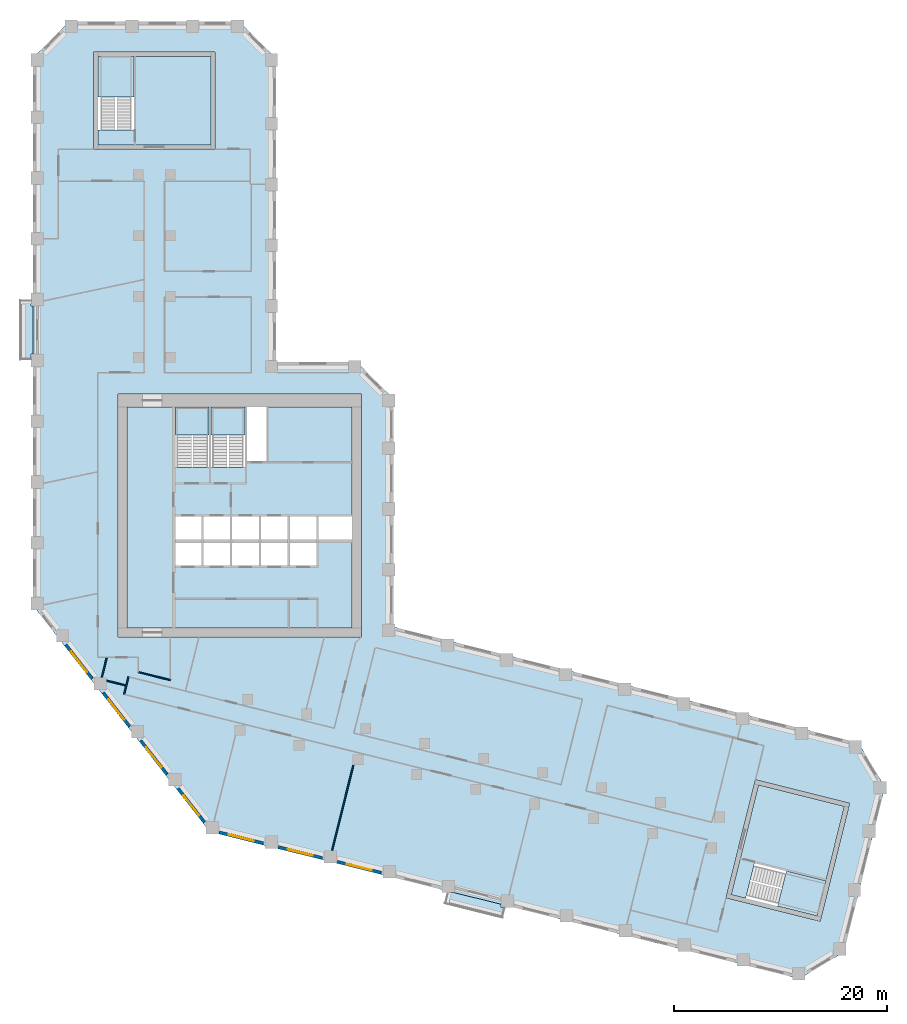
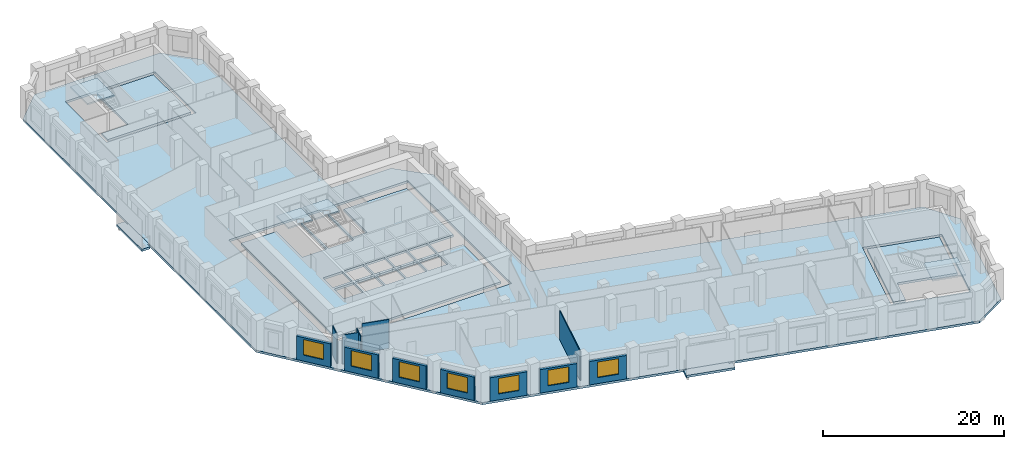
# One storey, part 2 of 10: 12 walls, 10 slabs, 7 windows, 7 openings, 4 elements without a shape of their own.
"""IFC4 building model written with IfcOpenShell, lengths in metres."""

from ifc_helpers import new_model, si_unit, direction, frame, frame_2d, origin, place, context, subcontext, project, spatial, polyline, rectangle, outline, extrude, material, layer, layer_set, type_object, element, fill, aggregate, save


model = new_model("IFC4")

# Units and contexts
model_context = context("Model", 3, precision=1e-05, world=origin(), true_north=direction((0.0, 1.0)))
body_context = subcontext(model_context, "Body", "Model", "MODEL_VIEW")
ifc_project = project(units=[si_unit("LENGTHUNIT", "METRE"), si_unit("AREAUNIT", "SQUARE_METRE"), si_unit("VOLUMEUNIT", "CUBIC_METRE"), si_unit("PLANEANGLEUNIT", "RADIAN"), si_unit("MASSUNIT", "GRAM", prefix="KILO")], contexts=[model_context])

# Site, building, storey
site_placement = place(None, origin())
site = spatial("IfcSite", under=ifc_project, at=site_placement, CompositionType="ELEMENT")
building_placement = place(site_placement, origin())
building = spatial("IfcBuilding", under=site, at=building_placement, Name="Meshkara Civic Tower", CompositionType="ELEMENT")
storey_placement = place(building_placement, frame((0.0, 0.0, 182.39990234375)))
storey = spatial("IfcBuildingStorey", under=building, at=storey_placement, Name="L41", CompositionType="ELEMENT", Elevation=182.39990234375)

# Slabs
ifc_material_1 = material(Name="Concrete C40", Category="concrete")
ifc_layer_1 = layer(ifc_material_1, 0.300048828125)
ifc_layer_set_1 = layer_set([ifc_layer_1], Name="BALCONY SLAB")
slab_type_1 = type_object("IfcSlabType", Name="BALCONY SLAB", PredefinedType="FLOOR", material=ifc_layer_set_1)
slab_1_placement = place(storey_placement, frame((0.0, 0.0, -0.2998046875)))
element("IfcSlab", 1, at=slab_1_placement, inside=storey, type_object=slab_type_1, Name="Balcony slab", PredefinedType="FLOOR", context=body_context, shape_type="SweptSolid", body=[
    extrude(outline(polyline([(-1.199951171875, 40.114990234375), (-1.199951171875, 45.695068359375), (-0.14990234375, 45.695068359375), (-0.14990234375, 45.155029296875), (0.0, 45.155029296875), (0.0, 40.655029296875), (-0.14990234375, 40.655029296875), (-0.14990234375, 40.114990234375), (-1.199951171875, 40.114990234375)])), origin(), (0.0, 0.0, 1.0), 0.2998046875),
])
slab_2_placement = place(storey_placement, frame((0.0, 0.0, -0.2998046875)))
element("IfcSlab", 2, at=slab_2_placement, inside=storey, type_object=slab_type_1, Name="Balcony slab", PredefinedType="FLOOR", context=body_context, shape_type="SweptSolid", body=[
    extrude(outline(polyline([(44.048095703125, -12.218994140625), (38.633056640625, -10.868896484375), (38.885986328125, -9.85302734375), (39.51904296875, -9.85302734375), (43.905029296875, -10.947021484375), (43.905029296875, -11.23193359375), (44.2939453125, -11.23193359375), (44.048095703125, -12.218994140625)])), origin(), (0.0, 0.0, 1.0), 0.2998046875),
])
ifc_material_2 = material(Name="Concrete C40/50", Category="concrete")
ifc_layer_2 = layer(ifc_material_2, 0.300048828125)
ifc_layer_set_2 = layer_set([ifc_layer_2], Name="Core floor slab 300 C40/50")
slab_type_2 = type_object("IfcSlabType", Name="Core floor slab 300 C40/50", PredefinedType="FLOOR", material=ifc_layer_set_2)
slab_3_placement = place(storey_placement, frame((0.0, 0.0, -0.2998046875)))
element("IfcSlab", 3, at=slab_3_placement, inside=storey, type_object=slab_type_2, Name="Core floor K", PredefinedType="FLOOR", context=body_context, shape_type="SweptSolid", body=[
    extrude(outline(polyline([(8.85009765625, 35.699951171875), (13.3701171875, 35.699951171875), (13.3701171875, 30.00146484375), (16.5, 30.00146484375), (16.5, 35.699951171875), (16.699951171875, 35.699951171875), (16.699951171875, 30.00146484375), (19.89990234375, 30.00146484375), (19.89990234375, 35.699951171875), (20.10009765625, 35.699951171875), (20.10009765625, 30.574951171875), (21.925048828125, 30.574951171875), (21.925048828125, 35.699951171875), (29.949951171875, 35.699951171875), (29.949951171875, 25.39990234375), (26.800048828125, 25.39990234375), (26.800048828125, 23.27001953125), (29.949951171875, 23.27001953125), (29.949951171875, 14.949951171875), (8.85009765625, 14.949951171875), (8.85009765625, 35.699951171875)]), holes=[polyline([(15.800048828125, 22.929931640625), (13.3701171875, 22.929931640625), (13.3701171875, 20.800048828125), (15.800048828125, 20.800048828125), (15.800048828125, 22.929931640625)]), polyline([(16.0, 22.929931640625), (16.0, 20.800048828125), (18.5, 20.800048828125), (18.5, 22.929931640625), (16.0, 22.929931640625)]), polyline([(18.699951171875, 22.929931640625), (18.699951171875, 20.800048828125), (21.199951171875, 20.800048828125), (21.199951171875, 22.929931640625), (18.699951171875, 22.929931640625)]), polyline([(15.800048828125, 23.27001953125), (15.800048828125, 25.39990234375), (13.3701171875, 25.39990234375), (13.3701171875, 23.27001953125), (15.800048828125, 23.27001953125)]), polyline([(16.0, 25.39990234375), (16.0, 23.27001953125), (18.5, 23.27001953125), (18.5, 25.39990234375), (16.0, 25.39990234375)]), polyline([(21.39990234375, 20.800048828125), (23.89990234375, 20.800048828125), (23.89990234375, 22.929931640625), (21.39990234375, 22.929931640625), (21.39990234375, 20.800048828125)]), polyline([(24.10009765625, 20.800048828125), (26.60009765625, 20.800048828125), (26.60009765625, 22.929931640625), (24.10009765625, 22.929931640625), (24.10009765625, 20.800048828125)]), polyline([(18.699951171875, 25.39990234375), (18.699951171875, 23.27001953125), (21.199951171875, 23.27001953125), (21.199951171875, 25.39990234375), (18.699951171875, 25.39990234375)]), polyline([(21.39990234375, 25.39990234375), (21.39990234375, 23.27001953125), (23.89990234375, 23.27001953125), (23.89990234375, 25.39990234375), (21.39990234375, 25.39990234375)]), polyline([(26.60009765625, 23.27001953125), (26.60009765625, 25.39990234375), (24.10009765625, 25.39990234375), (24.10009765625, 23.27001953125), (26.60009765625, 23.27001953125)])]), origin(), (0.0, 0.0, 1.0), 0.2998046875),
])
slab_4_placement = place(storey_placement, frame((0.0, 0.0, -0.2998046875)))
element("IfcSlab", 4, at=slab_4_placement, inside=storey, type_object=slab_type_2, Name="Core floor EA", PredefinedType="FLOOR", context=body_context, shape_type="SweptSolid", body=[
    extrude(outline(polyline([(16.699951171875, 60.27001953125), (16.699951171875, 68.570068359375), (9.5, 68.570068359375), (9.5, 61.67138671875), (6.10009765625, 61.67138671875), (6.10009765625, 60.27001953125), (16.699951171875, 60.27001953125)])), origin(), (0.0, 0.0, 1.0), 0.2998046875),
])
slab_5_placement = place(storey_placement, frame((0.0, 0.0, -0.2998046875)))
element("IfcSlab", 5, at=slab_5_placement, inside=storey, type_object=slab_type_2, Name="Core floor EB", PredefinedType="FLOOR", context=body_context, shape_type="SweptSolid", body=[
    extrude(outline(polyline([(68.050537109375, 0.244384765625), (76.10400390625, -1.763671875), (74.362060546875, -8.749755859375), (67.66845703125, -7.080810546875), (66.845947265625, -10.3798828125), (65.486083984375, -10.040771484375), (68.050537109375, 0.244384765625)])), origin(), (0.0, 0.0, 1.0), 0.2998046875),
])

# Stair, slab
ifc_material_3 = material(Name="Precast concrete C40/50", Category="concrete")
stair_type = type_object("IfcStairType", Name="Exit stair half-turn 24 risers precast", PredefinedType="HALF_TURN_STAIR", material=ifc_material_3)
stair_1_placement = place(storey_placement, origin())
stair_1 = element("IfcStair", 6, at=stair_1_placement, inside=storey, type_object=stair_type, Name="L41 exit stair 1", PredefinedType="HALF_TURN_STAIR")
ifc_material_4 = material(Name="Precast concrete C40/50", Category="concrete")
ifc_layer_3 = layer(ifc_material_4, 0.199951171875)
ifc_layer_set_3 = layer_set([ifc_layer_3], Name="Exit stair landing 200")
slab_type_3 = type_object("IfcSlabType", Name="Exit stair landing 200", PredefinedType="LANDING", material=ifc_layer_set_3)
slab_6_placement = place(storey_placement, frame((0.0, 0.0, 1.900146484375)))
slab_6 = element("IfcSlab", 7, at=slab_6_placement, type_object=slab_type_3, Name="ST1 landing 1", PredefinedType="LANDING", context=body_context, shape_type="SweptSolid", body=[
    extrude(outline(polyline([(16.5, 33.07861328125), (16.5, 35.699951171875), (13.3701171875, 35.699951171875), (13.3701171875, 33.07861328125), (16.5, 33.07861328125)])), origin(), (0.0, 0.0, 1.0), 0.199951171875),
])
aggregate(stair_1, [slab_6])

stair_2_placement = place(storey_placement, origin())
stair_2 = element("IfcStair", 8, at=stair_2_placement, inside=storey, type_object=stair_type, Name="L41 exit stair 2", PredefinedType="HALF_TURN_STAIR")
slab_7_placement = place(storey_placement, frame((0.0, 0.0, 1.900146484375)))
slab_7 = element("IfcSlab", 9, at=slab_7_placement, type_object=slab_type_3, Name="ST2 landing 1", PredefinedType="LANDING", context=body_context, shape_type="SweptSolid", body=[
    extrude(outline(polyline([(19.89990234375, 33.07861328125), (19.89990234375, 35.699951171875), (16.699951171875, 35.699951171875), (16.699951171875, 33.07861328125), (19.89990234375, 33.07861328125)])), origin(), (0.0, 0.0, 1.0), 0.199951171875),
])
aggregate(stair_2, [slab_7])

stair_3_placement = place(storey_placement, origin())
stair_3 = element("IfcStair", 10, at=stair_3_placement, inside=storey, type_object=stair_type, Name="L41 exit stair A from L35", PredefinedType="HALF_TURN_STAIR")
slab_8_placement = place(storey_placement, frame((0.0, 0.0, 1.900146484375)))
slab_8 = element("IfcSlab", 11, at=slab_8_placement, type_object=slab_type_3, Name="ESA3 landing 1", PredefinedType="LANDING", context=body_context, shape_type="SweptSolid", body=[
    extrude(outline(polyline([(9.5, 64.74853515625), (9.5, 68.570068359375), (6.10009765625, 68.570068359375), (6.10009765625, 64.74853515625), (9.5, 64.74853515625)])), origin(), (0.0, 0.0, 1.0), 0.199951171875),
])
aggregate(stair_3, [slab_8])

stair_4_placement = place(storey_placement, origin())
stair_4 = element("IfcStair", 12, at=stair_4_placement, inside=storey, type_object=stair_type, Name="L41 exit stair B from L35", PredefinedType="HALF_TURN_STAIR")
slab_9_placement = place(storey_placement, frame((0.0, 0.0, 1.900146484375)))
slab_9 = element("IfcSlab", 13, at=slab_9_placement, type_object=slab_type_3, Name="ESB3 landing 1", PredefinedType="LANDING", context=body_context, shape_type="SweptSolid", body=[
    extrude(outline(polyline([(69.831298828125, -11.124755859375), (73.5400390625, -12.049072265625), (74.3623046875, -8.7490234375), (70.653564453125, -7.82470703125), (69.831298828125, -11.124755859375)])), origin(), (0.0, 0.0, 1.0), 0.199951171875),
])
aggregate(stair_4, [slab_9])

# Slab
ifc_material_5 = material(Name="Concrete C50", Category="concrete")
ifc_layer_4 = layer(ifc_material_5, 0.300048828125)
ifc_layer_set_4 = layer_set([ifc_layer_4], Name="Post-tensioned flat slab 300 C50")
slab_type_4 = type_object("IfcSlabType", Name="Post-tensioned flat slab 300 C50", PredefinedType="FLOOR", material=ifc_layer_set_4)
slab_10_placement = place(storey_placement, frame((0.0, 0.0, -0.2998046875)))
element("IfcSlab", 14, at=slab_10_placement, inside=storey, type_object=slab_type_4, Name="Post-tensioned flat slab L41", PredefinedType="FLOOR", context=body_context, shape_type="SweptSolid", body=[
    extrude(outline(polyline([(76.044921875, -15.43505859375), (71.89892578125, -17.926025390625), (16.592041015625, -4.136962890625), (0.0, 17.10009765625), (0.0, 68.39990234375), (3.419921875, 71.820068359375), (19.3798828125, 71.820068359375), (22.800048828125, 68.39990234375), (22.800048828125, 39.89990234375), (30.3798828125, 39.89990234375), (33.800048828125, 36.47998046875), (33.800048828125, 15.071044921875), (77.4150390625, 4.196044921875), (79.906005859375, 0.051025390625), (76.044921875, -15.43505859375)]), holes=[polyline([(73.8310546875, -12.533935546875), (76.589111328125, -1.471923828125), (67.759033203125, 0.72900390625), (65.0009765625, -10.33203125), (73.8310546875, -12.533935546875)]), polyline([(8.0, 14.10009765625), (30.800048828125, 14.10009765625), (30.800048828125, 36.89990234375), (8.0, 36.89990234375), (8.0, 14.10009765625)]), polyline([(5.699951171875, 68.969970703125), (5.699951171875, 59.8701171875), (17.10009765625, 59.8701171875), (17.10009765625, 68.969970703125), (5.699951171875, 68.969970703125)])]), origin(), (0.0, 0.0, 1.0), 0.2998046875),
])

# Walls
ifc_material_6 = material(Name="Corridor wall 100")
ifc_layer_5 = layer(ifc_material_6, 0.10009765625)
ifc_layer_set_5 = layer_set([ifc_layer_5], Name="Corridor wall 100")
wall_type_1 = type_object("IfcWallType", Name="Corridor wall 100", PredefinedType="PARTITIONING", material=ifc_layer_set_5)
wall_1_placement = place(storey_placement, frame((8.972900390625, 10.382080078125, 0.0), z_axis=(0.0, 0.0, 1.0), x_axis=(-0.241650823739, -0.970363271866, 0.0)))
element("IfcWall", 15, at=wall_1_placement, inside=storey, type_object=wall_type_1, Name="L41-W008", PredefinedType="PARTITIONING", context=body_context, shape_type="SweptSolid", body=[
    extrude(rectangle(XDim=1.688232421875, YDim=0.10009765625, at=frame_2d((0.84423828125, 0.0))), origin(), (0.0, 0.0, 1.0), 3.900146484375),
])
wall_2_placement = place(storey_placement, frame((9.89990234375, 10.825927734375, 0.0), z_axis=(0.0, 0.0, 1.0), x_axis=(0.970290953223, -0.241941038466, 0.0)))
element("IfcWall", 16, at=wall_2_placement, inside=storey, type_object=wall_type_1, Name="L41-W009", PredefinedType="PARTITIONING", context=body_context, shape_type="SweptSolid", body=[
    extrude(rectangle(XDim=3.091796875, YDim=0.10009765625, at=frame_2d((1.5458984375, 0.0))), origin(), (0.0, 0.0, 1.0), 3.900146484375),
])

# Wall, opening, window
ifc_material_7 = material(Name="Insulated infill panel with bronze anodised aluminium cladding", Category="aluminium")
ifc_layer_6 = layer(ifc_material_7, 0.300048828125)
ifc_layer_set_6 = layer_set([ifc_layer_6], Name="EXTERNAL INFILL WALL 300")
wall_type_2 = type_object("IfcWallType", Name="EXTERNAL INFILL WALL 300", PredefinedType="SOLIDWALL", material=ifc_layer_set_6)
wall_3_placement = place(storey_placement, frame((3.095947265625, 13.381103515625, 0.0), z_axis=(0.0, 0.0, 1.0), x_axis=(0.615563820493, -0.78808704018, 0.0)))
wall_3 = element("IfcWall", 17, at=wall_3_placement, inside=storey, type_object=wall_type_2, Name="External wall", PredefinedType="SOLIDWALL", context=body_context, shape_type="SweptSolid", body=[
    extrude(rectangle(XDim=4.01611328125, YDim=0.300048828125, at=frame_2d((2.008056640625, 0.0))), origin(), (0.0, 0.0, 1.0), 3.150146484375),
])
opening_1_placement = place(wall_3_placement, frame((0.80810546875, 0.0, 0.800048828125)))
opening_1 = element("IfcOpeningElement", 18, at=opening_1_placement, cuts=wall_3, Name="Opening W7", PredefinedType="OPENING", context=body_context, shape_type="SweptSolid", body=[
    extrude(rectangle(XDim=2.39990234375, YDim=2.10009765625, at=frame_2d((1.199951171875, 1.050048828125))), frame((0.0, 0.159912109375, 0.0), z_axis=(0.0, -1.0, 0.0), x_axis=(1.0, 0.0, 0.0)), (0.0, 0.0, 1.0), 0.320068359375),
])
ifc_material_8 = material(Name="Tinted double glazing", Category="glass")
window_type = type_object("IfcWindowType", Name="WINDOW 2400x2100", PartitioningType="DOUBLE_PANEL_VERTICAL", PredefinedType="WINDOW", material=ifc_material_8)
window_1_placement = place(opening_1_placement, origin())
window_1 = element("IfcWindow", 19, at=window_1_placement, inside=storey, type_object=window_type, Name="Window", OverallHeight=2.10009765625, OverallWidth=2.39990234375, PartitioningType="DOUBLE_PANEL_VERTICAL", PredefinedType="WINDOW", context=body_context, shape_type="SweptSolid", body=[
    extrude(rectangle(XDim=2.39990234375, YDim=2.10009765625, at=frame_2d((1.199951171875, 1.050048828125))), frame((0.0, 0.030029296875, 0.0), z_axis=(0.0, -1.0, 0.0), x_axis=(1.0, 0.0, 0.0)), (0.0, 0.0, 1.0), 0.06005859375),
])
fill(opening_1, window_1)

wall_4_placement = place(storey_placement, frame((6.60498046875, 8.888916015625, 0.0), z_axis=(0.0, 0.0, 1.0), x_axis=(0.615706559089, -0.787975528233, 0.0)))
wall_4 = element("IfcWall", 20, at=wall_4_placement, inside=storey, type_object=wall_type_2, Name="External wall", PredefinedType="SOLIDWALL", context=body_context, shape_type="SweptSolid", body=[
    extrude(rectangle(XDim=4.016357421875, YDim=0.300048828125, at=frame_2d((2.00830078125, 0.0))), origin(), (0.0, 0.0, 1.0), 3.150146484375),
])
opening_2_placement = place(wall_4_placement, frame((0.80810546875, 0.0, 0.800048828125)))
opening_2 = element("IfcOpeningElement", 21, at=opening_2_placement, cuts=wall_4, Name="Opening W7", PredefinedType="OPENING", context=body_context, shape_type="SweptSolid", body=[
    extrude(rectangle(XDim=2.39990234375, YDim=2.10009765625, at=frame_2d((1.199951171875, 1.050048828125))), frame((0.0, 0.159912109375, 0.0), z_axis=(0.0, -1.0, 0.0), x_axis=(1.0, 0.0, 0.0)), (0.0, 0.0, 1.0), 0.320068359375),
])
window_2_placement = place(opening_2_placement, origin())
window_2 = element("IfcWindow", 22, at=window_2_placement, inside=storey, type_object=window_type, Name="Window", OverallHeight=2.10009765625, OverallWidth=2.39990234375, PartitioningType="DOUBLE_PANEL_VERTICAL", PredefinedType="WINDOW", context=body_context, shape_type="SweptSolid", body=[
    extrude(rectangle(XDim=2.39990234375, YDim=2.10009765625, at=frame_2d((1.199951171875, 1.050048828125))), frame((0.0, 0.030029296875, 0.0), z_axis=(0.0, -1.0, 0.0), x_axis=(1.0, 0.0, 0.0)), (0.0, 0.0, 1.0), 0.06005859375),
])
fill(opening_2, window_2)

wall_5_placement = place(storey_placement, frame((10.114990234375, 4.39697265625, 0.0), z_axis=(0.0, 0.0, 1.0), x_axis=(0.615644041972, -0.788024373725, 0.0)))
wall_5 = element("IfcWall", 23, at=wall_5_placement, inside=storey, type_object=wall_type_2, Name="External wall", PredefinedType="SOLIDWALL", context=body_context, shape_type="SweptSolid", body=[
    extrude(rectangle(XDim=4.01513671875, YDim=0.300048828125, at=frame_2d((2.007568359375, 0.0))), origin(), (0.0, 0.0, 1.0), 3.150146484375),
])
opening_3_placement = place(wall_5_placement, frame((0.806884765625, 0.0, 0.800048828125)))
opening_3 = element("IfcOpeningElement", 24, at=opening_3_placement, cuts=wall_5, Name="Opening W7", PredefinedType="OPENING", context=body_context, shape_type="SweptSolid", body=[
    extrude(rectangle(XDim=2.39990234375, YDim=2.10009765625, at=frame_2d((1.199951171875, 1.050048828125))), frame((0.0, 0.159912109375, 0.0), z_axis=(0.0, -1.0, 0.0), x_axis=(1.0, 0.0, 0.0)), (0.0, 0.0, 1.0), 0.320068359375),
])
window_3_placement = place(opening_3_placement, origin())
window_3 = element("IfcWindow", 25, at=window_3_placement, inside=storey, type_object=window_type, Name="Window", OverallHeight=2.10009765625, OverallWidth=2.39990234375, PartitioningType="DOUBLE_PANEL_VERTICAL", PredefinedType="WINDOW", context=body_context, shape_type="SweptSolid", body=[
    extrude(rectangle(XDim=2.39990234375, YDim=2.10009765625, at=frame_2d((1.199951171875, 1.050048828125))), frame((0.0, 0.030029296875, 0.0), z_axis=(0.0, -1.0, 0.0), x_axis=(1.0, 0.0, 0.0)), (0.0, 0.0, 1.0), 0.06005859375),
])
fill(opening_3, window_3)

wall_6_placement = place(storey_placement, frame((13.6240234375, -0.093994140625, 0.0), z_axis=(0.0, 0.0, 1.0), x_axis=(0.615526062586, -0.7881165309, 0.0)))
wall_6 = element("IfcWall", 26, at=wall_6_placement, inside=storey, type_object=wall_type_2, Name="External wall", PredefinedType="SOLIDWALL", context=body_context, shape_type="SweptSolid", body=[
    extrude(rectangle(XDim=4.015869140625, YDim=0.300048828125, at=frame_2d((2.0078125, 0.0))), origin(), (0.0, 0.0, 1.0), 3.150146484375),
])
opening_4_placement = place(wall_6_placement, frame((0.80810546875, 0.0, 0.800048828125)))
opening_4 = element("IfcOpeningElement", 27, at=opening_4_placement, cuts=wall_6, Name="Opening W7", PredefinedType="OPENING", context=body_context, shape_type="SweptSolid", body=[
    extrude(rectangle(XDim=2.39990234375, YDim=2.10009765625, at=frame_2d((1.199951171875, 1.050048828125))), frame((0.0, 0.159912109375, 0.0), z_axis=(0.0, -1.0, 0.0), x_axis=(1.0, 0.0, 0.0)), (0.0, 0.0, 1.0), 0.320068359375),
])
window_4_placement = place(opening_4_placement, origin())
window_4 = element("IfcWindow", 28, at=window_4_placement, inside=storey, type_object=window_type, Name="Window", OverallHeight=2.10009765625, OverallWidth=2.39990234375, PartitioningType="DOUBLE_PANEL_VERTICAL", PredefinedType="WINDOW", context=body_context, shape_type="SweptSolid", body=[
    extrude(rectangle(XDim=2.39990234375, YDim=2.10009765625, at=frame_2d((1.199951171875, 1.050048828125))), frame((0.0, 0.030029296875, 0.0), z_axis=(0.0, -1.0, 0.0), x_axis=(1.0, 0.0, 0.0)), (0.0, 0.0, 1.0), 0.06005859375),
])
fill(opening_4, window_4)

wall_7_placement = place(storey_placement, frame((17.48388671875, -4.205078125, 0.0), z_axis=(0.0, 0.0, 1.0), x_axis=(0.970318118028, -0.241832069473, 0.0)))
wall_7 = element("IfcWall", 29, at=wall_7_placement, inside=storey, type_object=wall_type_2, Name="External wall", PredefinedType="SOLIDWALL", context=body_context, shape_type="SweptSolid", body=[
    extrude(rectangle(XDim=4.24609375, YDim=0.300048828125, at=frame_2d((2.123046875, 0.0))), origin(), (0.0, 0.0, 1.0), 3.150146484375),
])
opening_5_placement = place(wall_7_placement, frame((0.923095703125, 0.0, 0.800048828125)))
opening_5 = element("IfcOpeningElement", 30, at=opening_5_placement, cuts=wall_7, Name="Opening W7", PredefinedType="OPENING", context=body_context, shape_type="SweptSolid", body=[
    extrude(rectangle(XDim=2.39990234375, YDim=2.10009765625, at=frame_2d((1.199951171875, 1.050048828125))), frame((0.0, 0.159912109375, 0.0), z_axis=(0.0, -1.0, 0.0), x_axis=(1.0, 0.0, 0.0)), (0.0, 0.0, 1.0), 0.320068359375),
])
window_5_placement = place(opening_5_placement, origin())
window_5 = element("IfcWindow", 31, at=window_5_placement, inside=storey, type_object=window_type, Name="Window", OverallHeight=2.10009765625, OverallWidth=2.39990234375, PartitioningType="DOUBLE_PANEL_VERTICAL", PredefinedType="WINDOW", context=body_context, shape_type="SweptSolid", body=[
    extrude(rectangle(XDim=2.39990234375, YDim=2.10009765625, at=frame_2d((1.199951171875, 1.050048828125))), frame((0.0, 0.030029296875, 0.0), z_axis=(0.0, -1.0, 0.0), x_axis=(1.0, 0.0, 0.0)), (0.0, 0.0, 1.0), 0.06005859375),
])
fill(opening_5, window_5)

wall_8_placement = place(storey_placement, frame((23.014892578125, -5.583984375, 0.0), z_axis=(0.0, 0.0, 1.0), x_axis=(0.970291164166, -0.241940192487, 0.0)))
wall_8 = element("IfcWall", 32, at=wall_8_placement, inside=storey, type_object=wall_type_2, Name="External wall", PredefinedType="SOLIDWALL", context=body_context, shape_type="SweptSolid", body=[
    extrude(rectangle(XDim=4.245361328125, YDim=0.300048828125, at=frame_2d((2.12255859375, 0.0))), origin(), (0.0, 0.0, 1.0), 3.150146484375),
])
opening_6_placement = place(wall_8_placement, frame((0.922119140625, 0.0, 0.800048828125)))
opening_6 = element("IfcOpeningElement", 33, at=opening_6_placement, cuts=wall_8, Name="Opening W7", PredefinedType="OPENING", context=body_context, shape_type="SweptSolid", body=[
    extrude(rectangle(XDim=2.39990234375, YDim=2.10009765625, at=frame_2d((1.199951171875, 1.050048828125))), frame((0.0, 0.159912109375, 0.0), z_axis=(0.0, -1.0, 0.0), x_axis=(1.0, 0.0, 0.0)), (0.0, 0.0, 1.0), 0.320068359375),
])
window_6_placement = place(opening_6_placement, origin())
window_6 = element("IfcWindow", 34, at=window_6_placement, inside=storey, type_object=window_type, Name="Window", OverallHeight=2.10009765625, OverallWidth=2.39990234375, PartitioningType="DOUBLE_PANEL_VERTICAL", PredefinedType="WINDOW", context=body_context, shape_type="SweptSolid", body=[
    extrude(rectangle(XDim=2.39990234375, YDim=2.10009765625, at=frame_2d((1.199951171875, 1.050048828125))), frame((0.0, 0.030029296875, 0.0), z_axis=(0.0, -1.0, 0.0), x_axis=(1.0, 0.0, 0.0)), (0.0, 0.0, 1.0), 0.06005859375),
])
fill(opening_6, window_6)

wall_9_placement = place(storey_placement, frame((28.544921875, -6.962890625, 0.0), z_axis=(0.0, 0.0, 1.0), x_axis=(0.97030462482, -0.241886202691, 0.0)))
wall_9 = element("IfcWall", 35, at=wall_9_placement, inside=storey, type_object=wall_type_2, Name="External wall", PredefinedType="SOLIDWALL", context=body_context, shape_type="SweptSolid", body=[
    extrude(rectangle(XDim=4.24609375, YDim=0.300048828125, at=frame_2d((2.123046875, 0.0))), origin(), (0.0, 0.0, 1.0), 3.150146484375),
])
opening_7_placement = place(wall_9_placement, frame((0.923095703125, 0.0, 0.800048828125)))
opening_7 = element("IfcOpeningElement", 36, at=opening_7_placement, cuts=wall_9, Name="Opening W7", PredefinedType="OPENING", context=body_context, shape_type="SweptSolid", body=[
    extrude(rectangle(XDim=2.39990234375, YDim=2.10009765625, at=frame_2d((1.199951171875, 1.050048828125))), frame((0.0, 0.159912109375, 0.0), z_axis=(0.0, -1.0, 0.0), x_axis=(1.0, 0.0, 0.0)), (0.0, 0.0, 1.0), 0.320068359375),
])
window_7_placement = place(opening_7_placement, origin())
window_7 = element("IfcWindow", 37, at=window_7_placement, inside=storey, type_object=window_type, Name="Window", OverallHeight=2.10009765625, OverallWidth=2.39990234375, PartitioningType="DOUBLE_PANEL_VERTICAL", PredefinedType="WINDOW", context=body_context, shape_type="SweptSolid", body=[
    extrude(rectangle(XDim=2.39990234375, YDim=2.10009765625, at=frame_2d((1.199951171875, 1.050048828125))), frame((0.0, 0.030029296875, 0.0), z_axis=(0.0, -1.0, 0.0), x_axis=(1.0, 0.0, 0.0)), (0.0, 0.0, 1.0), 0.06005859375),
])
fill(opening_7, window_7)

# Walls
ifc_material_9 = material(Name="Partition 100")
ifc_layer_7 = layer(ifc_material_9, 0.10009765625)
ifc_layer_set_7 = layer_set([ifc_layer_7], Name="Partition 100")
wall_type_3 = type_object("IfcWallType", Name="Partition 100", PredefinedType="PARTITIONING", material=ifc_layer_set_7)
wall_10_placement = place(storey_placement, frame((6.922119140625, 12.137939453125, 0.0), z_axis=(0.0, 0.0, 1.0), x_axis=(-0.242504681353, -0.970150235542, 0.0)))
element("IfcWall", 38, at=wall_10_placement, inside=storey, type_object=wall_type_3, Name="L41-W047", PredefinedType="PARTITIONING", context=body_context, shape_type="SweptSolid", body=[
    extrude(rectangle(XDim=1.8564453125, YDim=0.10009765625, at=frame_2d((0.92822265625, 0.0))), origin(), (0.0, 0.0, 1.0), 3.900146484375),
])
wall_11_placement = place(storey_placement, frame((8.719970703125, 9.573974609375, 0.0), z_axis=(0.0, 0.0, 1.0), x_axis=(-0.97017350799, 0.242411559945, 0.0)))
element("IfcWall", 39, at=wall_11_placement, inside=storey, type_object=wall_type_3, Name="L41-W048", PredefinedType="PARTITIONING", context=body_context, shape_type="SweptSolid", body=[
    extrude(rectangle(XDim=1.85205078125, YDim=0.10009765625, at=frame_2d((0.926025390625, 0.0))), origin(), (0.0, 0.0, 1.0), 3.900146484375),
])
wall_12_placement = place(storey_placement, frame((28.06298828125, -5.89599609375, 0.0), z_axis=(0.0, 0.0, 1.0), x_axis=(0.241894418317, 0.970302576719, 0.0)))
element("IfcWall", 40, at=wall_12_placement, inside=storey, type_object=wall_type_3, Name="L41-W054", PredefinedType="PARTITIONING", context=body_context, shape_type="SweptSolid", body=[
    extrude(rectangle(XDim=8.242919921875, YDim=0.10009765625, at=frame_2d((4.12158203125, 0.0))), origin(), (0.0, 0.0, 1.0), 3.900146484375),
])

save(model, "model.ifc")
